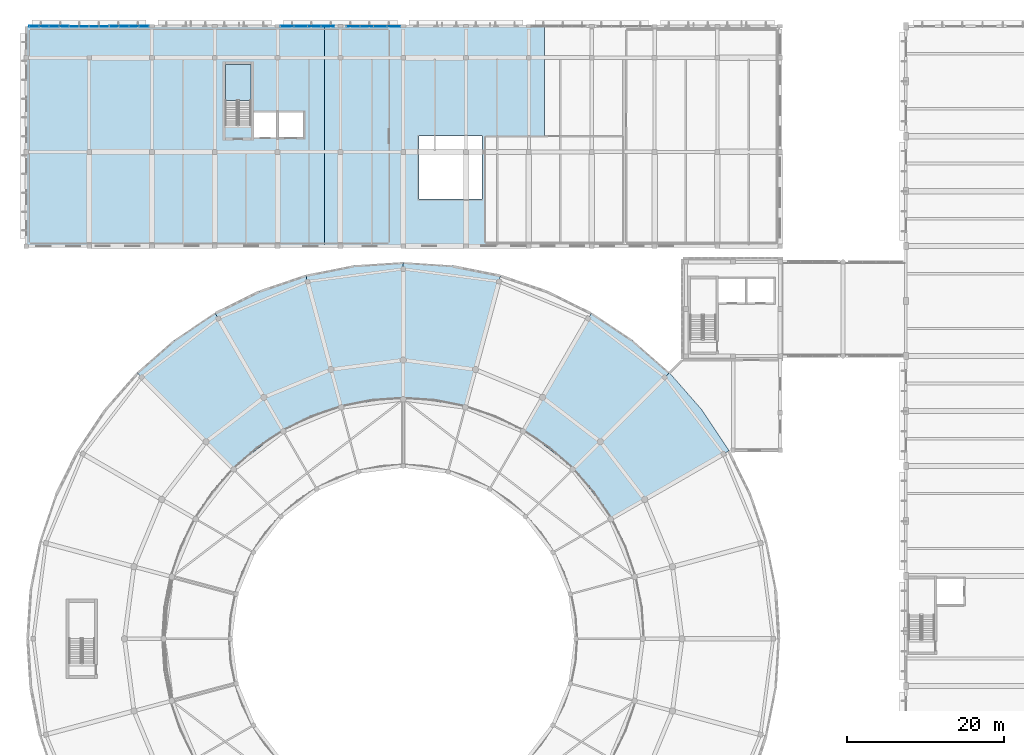
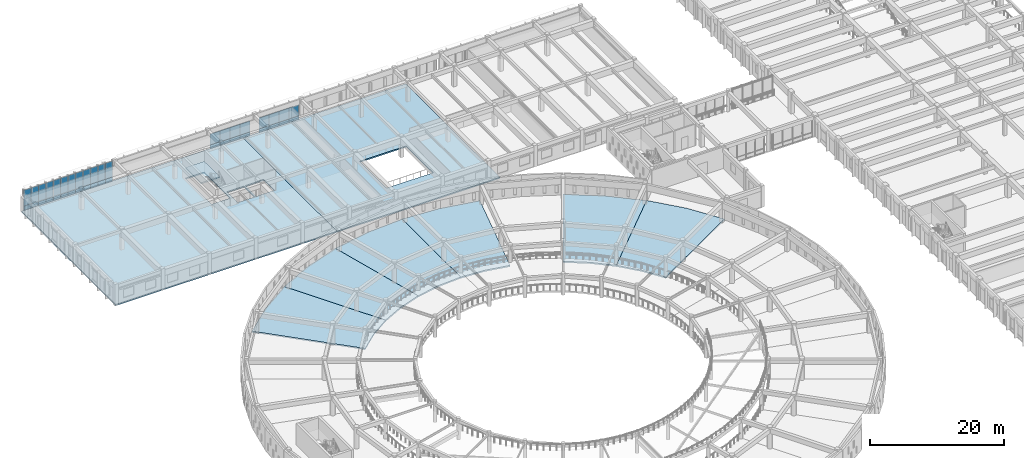
# One storey, part 48 of 98: 40 plates, 9 slabs, 6 elements without a shape of their own.
"""IFC4 building model written with IfcOpenShell, lengths in metres."""

from ifc_helpers import new_model, si_unit, direction, frame, origin, origin_2d, place, context, subcontext, project, spatial, polyline, rectangle, outline, extrude, material, layer, layer_set, type_object, element, aggregate, save


model = new_model("IFC4")

# Units and contexts
model_context = context("Model", 3, precision=1e-05, world=origin(), true_north=direction((0.0, 1.0)))
body_context = subcontext(model_context, "Body", "Model", "MODEL_VIEW")
ifc_project = project(units=[si_unit("LENGTHUNIT", "METRE"), si_unit("AREAUNIT", "SQUARE_METRE"), si_unit("VOLUMEUNIT", "CUBIC_METRE"), si_unit("PLANEANGLEUNIT", "RADIAN"), si_unit("MASSUNIT", "GRAM", prefix="KILO")], contexts=[model_context])

# Site, building, storey
site_placement = place(None, origin())
site = spatial("IfcSite", under=ifc_project, at=site_placement, CompositionType="ELEMENT")
building_placement = place(site_placement, origin())
building = spatial("IfcBuilding", under=site, at=building_placement, Name="Larkveld Mobility Hub", CompositionType="ELEMENT")
storey_placement = place(building_placement, frame((0.0, 0.0, 4.5)))
storey = spatial("IfcBuildingStorey", under=building, at=storey_placement, Name="L01", CompositionType="ELEMENT", Elevation=4.5)

# Curtain wall, plates
ifc_material_1 = material(Name="Anodised aluminium 6063-T6", Category="aluminium")
curtain_wall_type_1 = type_object("IfcCurtainWallType", Name="CW-SYS-04", PredefinedType="NOTDEFINED", material=ifc_material_1)
curtain_wall_1_placement = place(storey_placement, origin())
curtain_wall_1 = element("IfcCurtainWall", 1, at=curtain_wall_1_placement, inside=storey, type_object=curtain_wall_type_1, Name="Bicycle Hall North Curtain Wall L01 CW-076", PredefinedType="NOTDEFINED")
ifc_material_2 = material(Name="Low-E laminated solar-control double glazing", Category="glass")
ifc_layer_1 = layer(ifc_material_2, 0.028076171875, Name="Low-E laminated solar-control double glazing", Category="glass")
ifc_layer_set_1 = layer_set([ifc_layer_1], Name="Low-E laminated solar-control double glazing")
plate_type_1 = type_object("IfcPlateType", Name="CW-PNL-GL01", PredefinedType="CURTAIN_PANEL", material=ifc_layer_set_1)
plate_1_placement = place(storey_placement, frame((4.802978515625, 126.0, 0.75), z_axis=(0.0, 0.0, 1.0), x_axis=(-1.0, 0.0, 0.0)))
plate_1 = element("IfcPlate", 2, at=plate_1_placement, type_object=plate_type_1, Name="CW04 panel 1", PredefinedType="CURTAIN_PANEL", context=body_context, shape_type="SweptSolid", body=[
    extrude(rectangle(XDim=1.2451171875, YDim=0.028076171875, at=origin_2d()), origin(), (0.0, 0.0, 1.0), 2.8779296875),
])
plate_2_placement = place(storey_placement, frame((3.5380859375, 126.0, 0.75), z_axis=(0.0, 0.0, 1.0), x_axis=(-1.0, 0.0, 0.0)))
plate_2 = element("IfcPlate", 3, at=plate_2_placement, type_object=plate_type_1, Name="CW04 panel 2", PredefinedType="CURTAIN_PANEL", context=body_context, shape_type="SweptSolid", body=[
    extrude(rectangle(XDim=1.264892578125, YDim=0.028076171875, at=origin_2d()), origin(), (0.0, 0.0, 1.0), 2.8779296875),
])
plate_3_placement = place(storey_placement, frame((2.261962890625, 126.0, 0.75), z_axis=(0.0, 0.0, 1.0), x_axis=(-1.0, 0.0, 0.0)))
plate_3 = element("IfcPlate", 4, at=plate_3_placement, type_object=plate_type_1, Name="CW04 panel 3", PredefinedType="CURTAIN_PANEL", context=body_context, shape_type="SweptSolid", body=[
    extrude(rectangle(XDim=1.264892578125, YDim=0.028076171875, at=origin_2d()), origin(), (0.0, 0.0, 1.0), 2.8779296875),
])
plate_4_placement = place(storey_placement, frame((0.998046875, 126.0, 0.75), z_axis=(0.0, 0.0, 1.0), x_axis=(-1.0, 0.0, 0.0)))
plate_4 = element("IfcPlate", 5, at=plate_4_placement, type_object=plate_type_1, Name="CW04 panel 4", PredefinedType="CURTAIN_PANEL", context=body_context, shape_type="SweptSolid", body=[
    extrude(rectangle(XDim=1.2451171875, YDim=0.028076171875, at=origin_2d()), origin(), (0.0, 0.0, 1.0), 2.8779296875),
])

curtain_wall_type_2 = type_object("IfcCurtainWallType", Name="CW-SYS-02", PredefinedType="NOTDEFINED", material=ifc_material_1)
curtain_wall_2_placement = place(storey_placement, origin())
curtain_wall_2 = element("IfcCurtainWall", 6, at=curtain_wall_2_placement, inside=storey, type_object=curtain_wall_type_2, Name="Bicycle Hall North Curtain Wall L01 CW-074", PredefinedType="NOTDEFINED")
ifc_material_3 = material(Name="Acoustic solar-control laminated double glazing", Category="glass")
ifc_layer_2 = layer(ifc_material_3, 0.031982421875, Name="Acoustic solar-control laminated double glazing", Category="glass")
ifc_layer_set_2 = layer_set([ifc_layer_2], Name="Acoustic solar-control laminated double glazing")
plate_type_2 = type_object("IfcPlateType", Name="CW-PNL-GL02", PredefinedType="CURTAIN_PANEL", material=ifc_layer_set_2)
plate_5_placement = place(storey_placement, frame((15.0029296875, 126.0, 0.75), z_axis=(0.0, 0.0, 1.0), x_axis=(-1.0, 0.0, 0.0)))
plate_5 = element("IfcPlate", 7, at=plate_5_placement, type_object=plate_type_2, Name="CW02 panel 1", PredefinedType="CURTAIN_PANEL", context=body_context, shape_type="SweptSolid", body=[
    extrude(rectangle(XDim=1.2451171875, YDim=0.031982421875, at=origin_2d()), origin(), (0.0, 0.0, 1.0), 2.8779296875),
])
plate_6_placement = place(storey_placement, frame((13.738037109375, 126.0, 0.75), z_axis=(0.0, 0.0, 1.0), x_axis=(-1.0, 0.0, 0.0)))
plate_6 = element("IfcPlate", 8, at=plate_6_placement, type_object=plate_type_2, Name="CW02 panel 2", PredefinedType="CURTAIN_PANEL", context=body_context, shape_type="SweptSolid", body=[
    extrude(rectangle(XDim=1.264892578125, YDim=0.031982421875, at=origin_2d()), origin(), (0.0, 0.0, 1.0), 2.8779296875),
])
plate_7_placement = place(storey_placement, frame((12.462890625, 126.0, 0.75), z_axis=(0.0, 0.0, 1.0), x_axis=(-1.0, 0.0, 0.0)))
plate_7 = element("IfcPlate", 9, at=plate_7_placement, type_object=plate_type_2, Name="CW02 panel 3", PredefinedType="CURTAIN_PANEL", context=body_context, shape_type="SweptSolid", body=[
    extrude(rectangle(XDim=1.264892578125, YDim=0.031982421875, at=origin_2d()), origin(), (0.0, 0.0, 1.0), 2.8779296875),
])
plate_8_placement = place(storey_placement, frame((11.197998046875, 126.0, 0.75), z_axis=(0.0, 0.0, 1.0), x_axis=(-1.0, 0.0, 0.0)))
plate_8 = element("IfcPlate", 10, at=plate_8_placement, type_object=plate_type_2, Name="CW02 panel 4", PredefinedType="CURTAIN_PANEL", context=body_context, shape_type="SweptSolid", body=[
    extrude(rectangle(XDim=1.2451171875, YDim=0.031982421875, at=origin_2d()), origin(), (0.0, 0.0, 1.0), 2.8779296875),
])

curtain_wall_type_3 = type_object("IfcCurtainWallType", Name="CW-SYS-05", PredefinedType="NOTDEFINED", material=ifc_material_1)
curtain_wall_3_placement = place(storey_placement, origin())
curtain_wall_3 = element("IfcCurtainWall", 11, at=curtain_wall_3_placement, inside=storey, type_object=curtain_wall_type_3, Name="Bicycle Hall North Curtain Wall L01 CW-077", PredefinedType="NOTDEFINED")
plate_9_placement = place(storey_placement, frame((46.779052734375, 126.0, 0.669921875), z_axis=(0.0, 0.0, 1.0), x_axis=(-1.0, 0.0, 0.0)))
plate_9 = element("IfcPlate", 12, at=plate_9_placement, type_object=plate_type_2, Name="CW05 panel 1", PredefinedType="CURTAIN_PANEL", context=body_context, shape_type="SweptSolid", body=[
    extrude(rectangle(XDim=1.69091796875, YDim=0.031982421875, at=origin_2d()), origin(), (0.0, 0.0, 1.0), 1.97802734375),
])
plate_10_placement = place(storey_placement, frame((45.068115234375, 126.0, 0.669921875), z_axis=(0.0, 0.0, 1.0), x_axis=(-1.0, 0.0, 0.0)))
plate_10 = element("IfcPlate", 13, at=plate_10_placement, type_object=plate_type_2, Name="CW05 panel 2", PredefinedType="CURTAIN_PANEL", context=body_context, shape_type="SweptSolid", body=[
    extrude(rectangle(XDim=1.7109375, YDim=0.031982421875, at=origin_2d()), origin(), (0.0, 0.0, 1.0), 1.97802734375),
])
plate_11_placement = place(storey_placement, frame((43.345947265625, 126.0, 0.669921875), z_axis=(0.0, 0.0, 1.0), x_axis=(-1.0, 0.0, 0.0)))
plate_11 = element("IfcPlate", 14, at=plate_11_placement, type_object=plate_type_2, Name="CW05 panel 3", PredefinedType="CURTAIN_PANEL", context=body_context, shape_type="SweptSolid", body=[
    extrude(rectangle(XDim=1.7109375, YDim=0.031982421875, at=origin_2d()), origin(), (0.0, 0.0, 1.0), 1.97802734375),
])
plate_12_placement = place(storey_placement, frame((41.635009765625, 126.0, 0.669921875), z_axis=(0.0, 0.0, 1.0), x_axis=(-1.0, 0.0, 0.0)))
plate_12 = element("IfcPlate", 15, at=plate_12_placement, type_object=plate_type_2, Name="CW05 panel 4", PredefinedType="CURTAIN_PANEL", context=body_context, shape_type="SweptSolid", body=[
    extrude(rectangle(XDim=1.69091796875, YDim=0.031982421875, at=origin_2d()), origin(), (0.0, 0.0, 1.0), 1.97802734375),
])

curtain_wall_type_4 = type_object("IfcCurtainWallType", Name="CW-SYS-03", PredefinedType="NOTDEFINED", material=ifc_material_1)
curtain_wall_4_placement = place(storey_placement, origin())
curtain_wall_4 = element("IfcCurtainWall", 16, at=curtain_wall_4_placement, inside=storey, type_object=curtain_wall_type_4, Name="Bicycle Hall North Curtain Wall L01 CW-075", PredefinedType="NOTDEFINED")
ifc_material_4 = material(Name="Tinted safety double glazing", Category="glass")
ifc_layer_3 = layer(ifc_material_4, 0.035888671875, Name="Tinted safety double glazing", Category="glass")
ifc_layer_set_3 = layer_set([ifc_layer_3], Name="Tinted safety double glazing")
plate_type_3 = type_object("IfcPlateType", Name="CW-PNL-GL03", PredefinedType="CURTAIN_PANEL", material=ifc_layer_set_3)
plate_13_placement = place(storey_placement, frame((9.902099609375, 126.0, 0.75), z_axis=(0.0, 0.0, 1.0), x_axis=(-1.0, 0.0, 0.0)))
plate_13 = element("IfcPlate", 17, at=plate_13_placement, type_object=plate_type_3, Name="CW03 panel 1", PredefinedType="CURTAIN_PANEL", context=body_context, shape_type="SweptSolid", body=[
    extrude(rectangle(XDim=1.2451171875, YDim=0.035888671875, at=origin_2d()), origin(), (0.0, 0.0, 1.0), 2.8779296875),
])
plate_14_placement = place(storey_placement, frame((8.636962890625, 126.0, 0.75), z_axis=(0.0, 0.0, 1.0), x_axis=(-1.0, 0.0, 0.0)))
plate_14 = element("IfcPlate", 18, at=plate_14_placement, type_object=plate_type_3, Name="CW03 panel 2", PredefinedType="CURTAIN_PANEL", context=body_context, shape_type="SweptSolid", body=[
    extrude(rectangle(XDim=1.264892578125, YDim=0.035888671875, at=origin_2d()), origin(), (0.0, 0.0, 1.0), 2.8779296875),
])
plate_15_placement = place(storey_placement, frame((7.363037109375, 126.0, 0.75), z_axis=(0.0, 0.0, 1.0), x_axis=(-1.0, 0.0, 0.0)))
plate_15 = element("IfcPlate", 19, at=plate_15_placement, type_object=plate_type_3, Name="CW03 panel 3", PredefinedType="CURTAIN_PANEL", context=body_context, shape_type="SweptSolid", body=[
    extrude(rectangle(XDim=1.264892578125, YDim=0.035888671875, at=origin_2d()), origin(), (0.0, 0.0, 1.0), 2.8779296875),
])
plate_16_placement = place(storey_placement, frame((6.097900390625, 126.0, 0.75), z_axis=(0.0, 0.0, 1.0), x_axis=(-1.0, 0.0, 0.0)))
plate_16 = element("IfcPlate", 20, at=plate_16_placement, type_object=plate_type_3, Name="CW03 panel 4", PredefinedType="CURTAIN_PANEL", context=body_context, shape_type="SweptSolid", body=[
    extrude(rectangle(XDim=1.2451171875, YDim=0.035888671875, at=origin_2d()), origin(), (0.0, 0.0, 1.0), 2.8779296875),
])

curtain_wall_type_5 = type_object("IfcCurtainWallType", Name="CW-SYS-06", PredefinedType="NOTDEFINED", material=ifc_material_1)
curtain_wall_5_placement = place(storey_placement, origin())
curtain_wall_5 = element("IfcCurtainWall", 21, at=curtain_wall_5_placement, inside=storey, type_object=curtain_wall_type_5, Name="Bicycle Hall North Curtain Wall L01 CW-078", PredefinedType="NOTDEFINED")
plate_17_placement = place(storey_placement, frame((38.364990234375, 126.0, 0.669921875), z_axis=(0.0, 0.0, 1.0), x_axis=(-1.0, 0.0, 0.0)))
plate_17 = element("IfcPlate", 22, at=plate_17_placement, type_object=plate_type_3, Name="CW06 panel 1", PredefinedType="CURTAIN_PANEL", context=body_context, shape_type="SweptSolid", body=[
    extrude(rectangle(XDim=1.69091796875, YDim=0.035888671875, at=origin_2d()), origin(), (0.0, 0.0, 1.0), 1.97802734375),
])
plate_18_placement = place(storey_placement, frame((36.653076171875, 126.0, 0.669921875), z_axis=(0.0, 0.0, 1.0), x_axis=(-1.0, 0.0, 0.0)))
plate_18 = element("IfcPlate", 23, at=plate_18_placement, type_object=plate_type_3, Name="CW06 panel 2", PredefinedType="CURTAIN_PANEL", context=body_context, shape_type="SweptSolid", body=[
    extrude(rectangle(XDim=1.7109375, YDim=0.035888671875, at=origin_2d()), origin(), (0.0, 0.0, 1.0), 1.97802734375),
])
plate_19_placement = place(storey_placement, frame((34.930908203125, 126.0, 0.669921875), z_axis=(0.0, 0.0, 1.0), x_axis=(-1.0, 0.0, 0.0)))
plate_19 = element("IfcPlate", 24, at=plate_19_placement, type_object=plate_type_3, Name="CW06 panel 3", PredefinedType="CURTAIN_PANEL", context=body_context, shape_type="SweptSolid", body=[
    extrude(rectangle(XDim=1.7109375, YDim=0.035888671875, at=origin_2d()), origin(), (0.0, 0.0, 1.0), 1.97802734375),
])
plate_20_placement = place(storey_placement, frame((33.220947265625, 126.0, 0.669921875), z_axis=(0.0, 0.0, 1.0), x_axis=(-1.0, 0.0, 0.0)))
plate_20 = element("IfcPlate", 25, at=plate_20_placement, type_object=plate_type_3, Name="CW06 panel 4", PredefinedType="CURTAIN_PANEL", context=body_context, shape_type="SweptSolid", body=[
    extrude(rectangle(XDim=1.69091796875, YDim=0.035888671875, at=origin_2d()), origin(), (0.0, 0.0, 1.0), 1.97802734375),
])

# Plate
ifc_material_5 = material(Name="Insulated fluoropolymer aluminium spandrel", Category="aluminium")
ifc_layer_4 = layer(ifc_material_5, 0.06494140625, Name="Insulated fluoropolymer aluminium spandrel", Category="aluminium")
ifc_layer_set_4 = layer_set([ifc_layer_4], Name="Insulated fluoropolymer aluminium spandrel")
plate_type_4 = type_object("IfcPlateType", Name="CW-PNL-SP01", PredefinedType="CURTAIN_PANEL", material=ifc_layer_set_4)
plate_21_placement = place(storey_placement, frame((9.902099609375, 126.0, 0.0), z_axis=(0.0, 0.0, 1.0), x_axis=(-1.0, 0.0, 0.0)))
plate_21 = element("IfcPlate", 26, at=plate_21_placement, type_object=plate_type_4, Name="CW03 spandrel 1", PredefinedType="CURTAIN_PANEL", context=body_context, shape_type="SweptSolid", body=[
    extrude(rectangle(XDim=1.2451171875, YDim=0.06494140625, at=origin_2d()), origin(), (0.0, 0.0, 1.0), 0.738037109375),
])

plate_22_placement = place(storey_placement, frame((8.636962890625, 126.0, 0.0), z_axis=(0.0, 0.0, 1.0), x_axis=(-1.0, 0.0, 0.0)))
plate_22 = element("IfcPlate", 27, at=plate_22_placement, type_object=plate_type_4, Name="CW03 spandrel 2", PredefinedType="CURTAIN_PANEL", context=body_context, shape_type="SweptSolid", body=[
    extrude(rectangle(XDim=1.264892578125, YDim=0.06494140625, at=origin_2d()), origin(), (0.0, 0.0, 1.0), 0.738037109375),
])

plate_23_placement = place(storey_placement, frame((7.363037109375, 126.0, 0.0), z_axis=(0.0, 0.0, 1.0), x_axis=(-1.0, 0.0, 0.0)))
plate_23 = element("IfcPlate", 28, at=plate_23_placement, type_object=plate_type_4, Name="CW03 spandrel 3", PredefinedType="CURTAIN_PANEL", context=body_context, shape_type="SweptSolid", body=[
    extrude(rectangle(XDim=1.264892578125, YDim=0.06494140625, at=origin_2d()), origin(), (0.0, 0.0, 1.0), 0.738037109375),
])

plate_24_placement = place(storey_placement, frame((6.097900390625, 126.0, 0.0), z_axis=(0.0, 0.0, 1.0), x_axis=(-1.0, 0.0, 0.0)))
plate_24 = element("IfcPlate", 29, at=plate_24_placement, type_object=plate_type_4, Name="CW03 spandrel 4", PredefinedType="CURTAIN_PANEL", context=body_context, shape_type="SweptSolid", body=[
    extrude(rectangle(XDim=1.2451171875, YDim=0.06494140625, at=origin_2d()), origin(), (0.0, 0.0, 1.0), 0.738037109375),
])

aggregate(curtain_wall_4, [plate_21, plate_13, plate_22, plate_14, plate_23, plate_15, plate_24, plate_16])

plate_25_placement = place(storey_placement, frame((46.779052734375, 126.0, 0.00048828125), z_axis=(0.0, 0.0, 1.0), x_axis=(-1.0, 0.0, 0.0)))
plate_25 = element("IfcPlate", 30, at=plate_25_placement, type_object=plate_type_4, Name="CW05 spandrel 1", PredefinedType="CURTAIN_PANEL", context=body_context, shape_type="SweptSolid", body=[
    extrude(rectangle(XDim=1.69091796875, YDim=0.06494140625, at=origin_2d()), origin(), (0.0, 0.0, 1.0), 0.656982421875),
])

plate_26_placement = place(storey_placement, frame((45.068115234375, 126.0, 0.00048828125), z_axis=(0.0, 0.0, 1.0), x_axis=(-1.0, 0.0, 0.0)))
plate_26 = element("IfcPlate", 31, at=plate_26_placement, type_object=plate_type_4, Name="CW05 spandrel 2", PredefinedType="CURTAIN_PANEL", context=body_context, shape_type="SweptSolid", body=[
    extrude(rectangle(XDim=1.7109375, YDim=0.06494140625, at=origin_2d()), origin(), (0.0, 0.0, 1.0), 0.656982421875),
])

plate_27_placement = place(storey_placement, frame((43.345947265625, 126.0, 0.00048828125), z_axis=(0.0, 0.0, 1.0), x_axis=(-1.0, 0.0, 0.0)))
plate_27 = element("IfcPlate", 32, at=plate_27_placement, type_object=plate_type_4, Name="CW05 spandrel 3", PredefinedType="CURTAIN_PANEL", context=body_context, shape_type="SweptSolid", body=[
    extrude(rectangle(XDim=1.7109375, YDim=0.06494140625, at=origin_2d()), origin(), (0.0, 0.0, 1.0), 0.656982421875),
])

plate_28_placement = place(storey_placement, frame((41.635009765625, 126.0, 0.00048828125), z_axis=(0.0, 0.0, 1.0), x_axis=(-1.0, 0.0, 0.0)))
plate_28 = element("IfcPlate", 33, at=plate_28_placement, type_object=plate_type_4, Name="CW05 spandrel 4", PredefinedType="CURTAIN_PANEL", context=body_context, shape_type="SweptSolid", body=[
    extrude(rectangle(XDim=1.69091796875, YDim=0.06494140625, at=origin_2d()), origin(), (0.0, 0.0, 1.0), 0.656982421875),
])

aggregate(curtain_wall_3, [plate_25, plate_9, plate_26, plate_10, plate_27, plate_11, plate_28, plate_12])

ifc_material_6 = material(Name="Insulated terracotta-toned aluminium spandrel", Category="masonry")
ifc_layer_5 = layer(ifc_material_6, 0.080078125, Name="Insulated terracotta-toned aluminium spandrel", Category="masonry")
ifc_layer_set_5 = layer_set([ifc_layer_5], Name="Insulated terracotta-toned aluminium spandrel")
plate_type_5 = type_object("IfcPlateType", Name="CW-PNL-SP02", PredefinedType="CURTAIN_PANEL", material=ifc_layer_set_5)
plate_29_placement = place(storey_placement, frame((15.0029296875, 126.0, 0.0), z_axis=(0.0, 0.0, 1.0), x_axis=(-1.0, 0.0, 0.0)))
plate_29 = element("IfcPlate", 34, at=plate_29_placement, type_object=plate_type_5, Name="CW02 spandrel 1", PredefinedType="CURTAIN_PANEL", context=body_context, shape_type="SweptSolid", body=[
    extrude(rectangle(XDim=1.2451171875, YDim=0.080078125, at=origin_2d()), origin(), (0.0, 0.0, 1.0), 0.738037109375),
])

plate_30_placement = place(storey_placement, frame((13.738037109375, 126.0, 0.0), z_axis=(0.0, 0.0, 1.0), x_axis=(-1.0, 0.0, 0.0)))
plate_30 = element("IfcPlate", 35, at=plate_30_placement, type_object=plate_type_5, Name="CW02 spandrel 2", PredefinedType="CURTAIN_PANEL", context=body_context, shape_type="SweptSolid", body=[
    extrude(rectangle(XDim=1.264892578125, YDim=0.080078125, at=origin_2d()), origin(), (0.0, 0.0, 1.0), 0.738037109375),
])

plate_31_placement = place(storey_placement, frame((12.462890625, 126.0, 0.0), z_axis=(0.0, 0.0, 1.0), x_axis=(-1.0, 0.0, 0.0)))
plate_31 = element("IfcPlate", 36, at=plate_31_placement, type_object=plate_type_5, Name="CW02 spandrel 3", PredefinedType="CURTAIN_PANEL", context=body_context, shape_type="SweptSolid", body=[
    extrude(rectangle(XDim=1.264892578125, YDim=0.080078125, at=origin_2d()), origin(), (0.0, 0.0, 1.0), 0.738037109375),
])

plate_32_placement = place(storey_placement, frame((11.197998046875, 126.0, 0.0), z_axis=(0.0, 0.0, 1.0), x_axis=(-1.0, 0.0, 0.0)))
plate_32 = element("IfcPlate", 37, at=plate_32_placement, type_object=plate_type_5, Name="CW02 spandrel 4", PredefinedType="CURTAIN_PANEL", context=body_context, shape_type="SweptSolid", body=[
    extrude(rectangle(XDim=1.2451171875, YDim=0.080078125, at=origin_2d()), origin(), (0.0, 0.0, 1.0), 0.738037109375),
])

aggregate(curtain_wall_2, [plate_29, plate_5, plate_30, plate_6, plate_31, plate_7, plate_32, plate_8])

plate_33_placement = place(storey_placement, frame((4.802978515625, 126.0, 0.0), z_axis=(0.0, 0.0, 1.0), x_axis=(-1.0, 0.0, 0.0)))
plate_33 = element("IfcPlate", 38, at=plate_33_placement, type_object=plate_type_5, Name="CW04 spandrel 1", PredefinedType="CURTAIN_PANEL", context=body_context, shape_type="SweptSolid", body=[
    extrude(rectangle(XDim=1.2451171875, YDim=0.080078125, at=origin_2d()), origin(), (0.0, 0.0, 1.0), 0.738037109375),
])

plate_34_placement = place(storey_placement, frame((3.5380859375, 126.0, 0.0), z_axis=(0.0, 0.0, 1.0), x_axis=(-1.0, 0.0, 0.0)))
plate_34 = element("IfcPlate", 39, at=plate_34_placement, type_object=plate_type_5, Name="CW04 spandrel 2", PredefinedType="CURTAIN_PANEL", context=body_context, shape_type="SweptSolid", body=[
    extrude(rectangle(XDim=1.264892578125, YDim=0.080078125, at=origin_2d()), origin(), (0.0, 0.0, 1.0), 0.738037109375),
])

plate_35_placement = place(storey_placement, frame((2.261962890625, 126.0, 0.0), z_axis=(0.0, 0.0, 1.0), x_axis=(-1.0, 0.0, 0.0)))
plate_35 = element("IfcPlate", 40, at=plate_35_placement, type_object=plate_type_5, Name="CW04 spandrel 3", PredefinedType="CURTAIN_PANEL", context=body_context, shape_type="SweptSolid", body=[
    extrude(rectangle(XDim=1.264892578125, YDim=0.080078125, at=origin_2d()), origin(), (0.0, 0.0, 1.0), 0.738037109375),
])

plate_36_placement = place(storey_placement, frame((0.998046875, 126.0, 0.0), z_axis=(0.0, 0.0, 1.0), x_axis=(-1.0, 0.0, 0.0)))
plate_36 = element("IfcPlate", 41, at=plate_36_placement, type_object=plate_type_5, Name="CW04 spandrel 4", PredefinedType="CURTAIN_PANEL", context=body_context, shape_type="SweptSolid", body=[
    extrude(rectangle(XDim=1.2451171875, YDim=0.080078125, at=origin_2d()), origin(), (0.0, 0.0, 1.0), 0.738037109375),
])

aggregate(curtain_wall_1, [plate_33, plate_1, plate_34, plate_2, plate_35, plate_3, plate_36, plate_4])

plate_37_placement = place(storey_placement, frame((38.364990234375, 126.0, 0.00048828125), z_axis=(0.0, 0.0, 1.0), x_axis=(-1.0, 0.0, 0.0)))
plate_37 = element("IfcPlate", 42, at=plate_37_placement, type_object=plate_type_5, Name="CW06 spandrel 1", PredefinedType="CURTAIN_PANEL", context=body_context, shape_type="SweptSolid", body=[
    extrude(rectangle(XDim=1.69091796875, YDim=0.080078125, at=origin_2d()), origin(), (0.0, 0.0, 1.0), 0.656982421875),
])

plate_38_placement = place(storey_placement, frame((36.653076171875, 126.0, 0.00048828125), z_axis=(0.0, 0.0, 1.0), x_axis=(-1.0, 0.0, 0.0)))
plate_38 = element("IfcPlate", 43, at=plate_38_placement, type_object=plate_type_5, Name="CW06 spandrel 2", PredefinedType="CURTAIN_PANEL", context=body_context, shape_type="SweptSolid", body=[
    extrude(rectangle(XDim=1.7109375, YDim=0.080078125, at=origin_2d()), origin(), (0.0, 0.0, 1.0), 0.656982421875),
])

plate_39_placement = place(storey_placement, frame((34.930908203125, 126.0, 0.00048828125), z_axis=(0.0, 0.0, 1.0), x_axis=(-1.0, 0.0, 0.0)))
plate_39 = element("IfcPlate", 44, at=plate_39_placement, type_object=plate_type_5, Name="CW06 spandrel 3", PredefinedType="CURTAIN_PANEL", context=body_context, shape_type="SweptSolid", body=[
    extrude(rectangle(XDim=1.7109375, YDim=0.080078125, at=origin_2d()), origin(), (0.0, 0.0, 1.0), 0.656982421875),
])

plate_40_placement = place(storey_placement, frame((33.220947265625, 126.0, 0.00048828125), z_axis=(0.0, 0.0, 1.0), x_axis=(-1.0, 0.0, 0.0)))
plate_40 = element("IfcPlate", 45, at=plate_40_placement, type_object=plate_type_5, Name="CW06 spandrel 4", PredefinedType="CURTAIN_PANEL", context=body_context, shape_type="SweptSolid", body=[
    extrude(rectangle(XDim=1.69091796875, YDim=0.080078125, at=origin_2d()), origin(), (0.0, 0.0, 1.0), 0.656982421875),
])

aggregate(curtain_wall_5, [plate_37, plate_17, plate_38, plate_18, plate_39, plate_19, plate_40, plate_20])

# Slabs
ifc_material_7 = material(Name="Concrete C40/50", Category="concrete")
ifc_layer_6 = layer(ifc_material_7, 0.239990234375, Name="Concrete C40/50", Category="concrete")
ifc_layer_set_6 = layer_set([ifc_layer_6], Name="Concrete C40/50")
slab_type_1 = type_object("IfcSlabType", Name="SL-DRM-240", PredefinedType="FLOOR", material=ifc_layer_set_6)
slab_1_placement = place(storey_placement, frame((0.0, 0.0, -0.239990234375)))
element("IfcSlab", 46, at=slab_1_placement, inside=storey, type_object=slab_type_1, Name="Drum Parking Deck Slab L01-032", PredefinedType="FLOOR", context=body_context, shape_type="SweptSolid", body=[
    extrude(outline(polyline([(89.5, 71.9599609375), (86.01708984375, 77.172119140625), (81.885009765625, 81.885009765625), (69.56689453125, 69.56689453125), (72.197021484375, 66.56689453125), (74.4140625, 63.25), (89.5, 71.9599609375)])), origin(), (0.0, 0.0, 1.0), 0.239990234375),
])
slab_2_placement = place(storey_placement, frame((0.0, 0.0, -0.239990234375)))
element("IfcSlab", 47, at=slab_2_placement, inside=storey, type_object=slab_type_1, Name="Drum Parking Deck Slab L01-036", PredefinedType="FLOOR", context=body_context, shape_type="SweptSolid", body=[
    extrude(outline(polyline([(48.0, 95.919921875), (41.7451171875, 95.510009765625), (35.596923828125, 94.287109375), (40.10595703125, 77.4609375), (44.01904296875, 78.239013671875), (48.0, 78.5), (48.0, 95.919921875)])), origin(), (0.0, 0.0, 1.0), 0.239990234375),
])
slab_3_placement = place(storey_placement, frame((0.0, 0.0, -0.239990234375)))
element("IfcSlab", 48, at=slab_3_placement, inside=storey, type_object=slab_type_1, Name="Drum Parking Deck Slab L01-038", PredefinedType="FLOOR", context=body_context, shape_type="SweptSolid", body=[
    extrude(outline(polyline([(24.0400390625, 89.5), (18.827880859375, 86.01708984375), (14.114990234375, 81.885009765625), (26.43310546875, 69.56689453125), (29.43310546875, 72.197021484375), (32.75, 74.4140625), (24.0400390625, 89.5)])), origin(), (0.0, 0.0, 1.0), 0.239990234375),
])
ifc_layer_7 = layer(ifc_material_7, 0.221923828125, Name="Concrete C40/50", Category="concrete")
ifc_layer_set_7 = layer_set([ifc_layer_7], Name="Concrete C40/50")
slab_type_2 = type_object("IfcSlabType", Name="SL-FLR-222", PredefinedType="FLOOR", material=ifc_layer_set_7)
slab_4_placement = place(storey_placement, frame((0.0, 0.0, -0.221923828125)))
element("IfcSlab", 49, at=slab_4_placement, inside=storey, type_object=slab_type_2, Name="Bicycle Hall Floor Slab L01-101", PredefinedType="FLOOR", context=body_context, shape_type="SweptSolid", body=[
    extrude(outline(polyline([(38.0, 98.0), (66.0, 98.0), (66.0, 126.0), (38.0, 126.0), (38.0, 98.0)]), holes=[polyline([(50.0, 104.0), (50.0, 112.0), (58.0, 112.0), (58.0, 104.0), (50.0, 104.0)])]), origin(), (0.0, 0.0, 1.0), 0.221923828125),
])
ifc_layer_8 = layer(ifc_material_7, 0.22998046875, Name="Concrete C40/50", Category="concrete")
ifc_layer_set_8 = layer_set([ifc_layer_8], Name="Concrete C40/50")
slab_type_3 = type_object("IfcSlabType", Name="SL-FLR-230", PredefinedType="FLOOR", material=ifc_layer_set_8)
slab_5_placement = place(storey_placement, frame((0.0, 0.0, -0.22998046875)))
element("IfcSlab", 50, at=slab_5_placement, inside=storey, type_object=slab_type_3, Name="Bicycle Hall Floor Slab L01-100", PredefinedType="FLOOR", context=body_context, shape_type="SweptSolid", body=[
    extrude(outline(polyline([(0.0, 98.0), (38.0, 98.0), (38.0, 126.0), (0.0, 126.0), (0.0, 98.0)]), holes=[polyline([(25.35009765625, 113.39990234375), (25.35009765625, 121.14990234375), (28.60009765625, 121.14990234375), (28.60009765625, 113.39990234375), (25.35009765625, 113.39990234375)]), polyline([(28.97998046875, 111.85009765625), (28.97998046875, 115.050048828125), (31.8798828125, 115.050048828125), (31.8798828125, 111.85009765625), (28.97998046875, 111.85009765625)]), polyline([(32.10009765625, 111.85009765625), (32.10009765625, 115.050048828125), (35.300048828125, 115.050048828125), (35.300048828125, 111.85009765625), (32.10009765625, 111.85009765625)])]), origin(), (0.0, 0.0, 1.0), 0.22998046875),
])
ifc_layer_9 = layer(ifc_material_7, 0.25, Name="Concrete C40/50", Category="concrete")
ifc_layer_set_9 = layer_set([ifc_layer_9], Name="Concrete C40/50")
slab_type_4 = type_object("IfcSlabType", Name="SL-FLR-250", PredefinedType="FLOOR", material=ifc_layer_set_9)
slab_6_placement = place(storey_placement, frame((0.0, 0.0, -0.25)))
element("IfcSlab", 51, at=slab_6_placement, inside=storey, type_object=slab_type_4, Name="Drum Parking Deck Slab L01-033", PredefinedType="FLOOR", context=body_context, shape_type="SweptSolid", body=[
    extrude(outline(polyline([(81.885009765625, 81.885009765625), (77.172119140625, 86.01708984375), (71.9599609375, 89.5), (63.25, 74.4140625), (66.56689453125, 72.197021484375), (69.56689453125, 69.56689453125), (81.885009765625, 81.885009765625)])), origin(), (0.0, 0.0, 1.0), 0.25),
])
slab_7_placement = place(storey_placement, frame((0.0, 0.0, -0.25)))
element("IfcSlab", 52, at=slab_7_placement, inside=storey, type_object=slab_type_4, Name="Drum Parking Deck Slab L01-035", PredefinedType="FLOOR", context=body_context, shape_type="SweptSolid", body=[
    extrude(outline(polyline([(60.403076171875, 94.287109375), (54.2548828125, 95.510009765625), (48.0, 95.919921875), (48.0, 78.5), (51.98095703125, 78.239013671875), (55.89404296875, 77.4609375), (60.403076171875, 94.287109375)])), origin(), (0.0, 0.0, 1.0), 0.25),
])
slab_8_placement = place(storey_placement, frame((0.0, 0.0, -0.25)))
element("IfcSlab", 53, at=slab_8_placement, inside=storey, type_object=slab_type_4, Name="Drum Parking Deck Slab L01-037", PredefinedType="FLOOR", context=body_context, shape_type="SweptSolid", body=[
    extrude(outline(polyline([(35.596923828125, 94.287109375), (29.662109375, 92.27197265625), (24.0400390625, 89.5), (32.75, 74.4140625), (36.327880859375, 76.177978515625), (40.10595703125, 77.4609375), (35.596923828125, 94.287109375)])), origin(), (0.0, 0.0, 1.0), 0.25),
])

# Stair, slab
stair_type = type_object("IfcStairType", Name="ST-HT-06", PredefinedType="HALF_TURN_STAIR", material=ifc_material_7)
stair_placement = place(storey_placement, origin())
stair = element("IfcStair", 54, at=stair_placement, inside=storey, type_object=stair_type, Name="L01 Protected Escape Stair ST6", PredefinedType="HALF_TURN_STAIR")
ifc_layer_10 = layer(ifc_material_7, 0.22509765625, Name="Concrete C40/50", Category="concrete")
ifc_layer_set_10 = layer_set([ifc_layer_10], Name="Concrete C40/50")
slab_type_5 = type_object("IfcSlabType", Name="SL-LND-06", PredefinedType="LANDING", material=ifc_layer_set_10)
slab_9_placement = place(storey_placement, frame((0.0, 0.0, 1.72509765625)))
slab_9 = element("IfcSlab", 55, at=slab_9_placement, type_object=slab_type_5, Name="ST6 landing 1", PredefinedType="LANDING", context=body_context, shape_type="SweptSolid", body=[
    extrude(outline(polyline([(28.60009765625, 116.534912109375), (28.60009765625, 121.14990234375), (25.35009765625, 121.14990234375), (25.35009765625, 116.534912109375), (28.60009765625, 116.534912109375)])), origin(), (0.0, 0.0, 1.0), 0.224853515625),
])
aggregate(stair, [slab_9])

save(model, "model.ifc")
